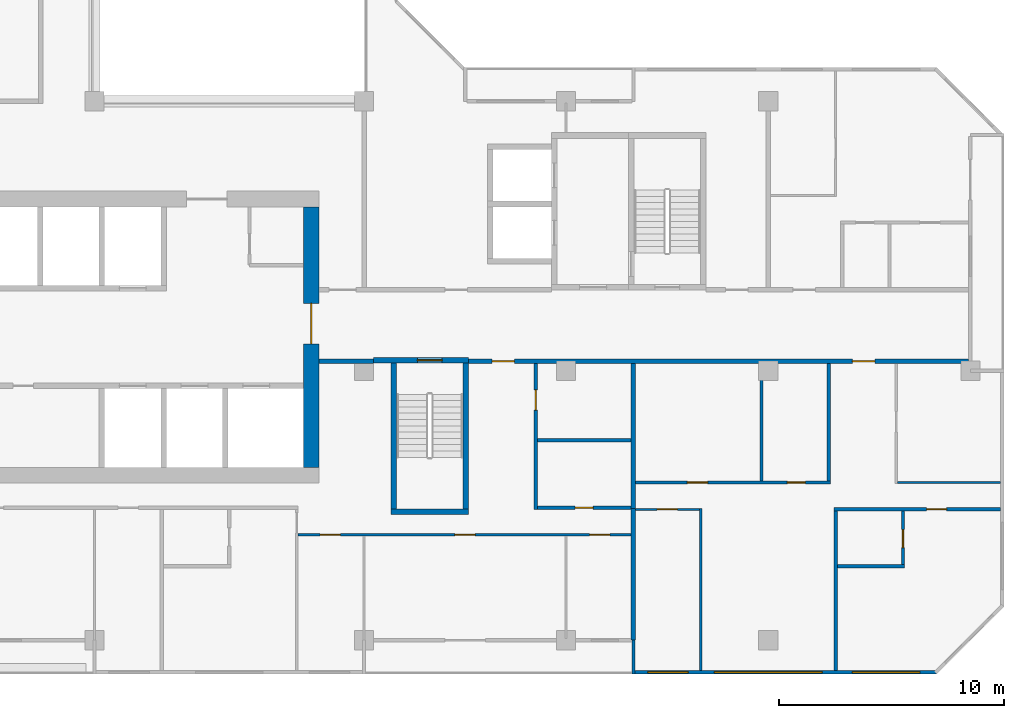
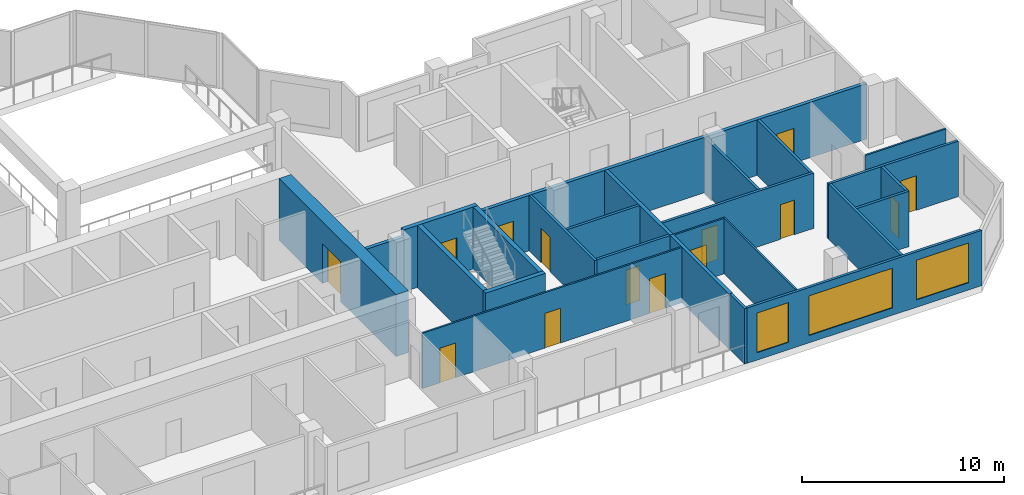
# One storey, part 6 of 15: 25 walls, 14 doors, 3 windows, 17 openings.
"""IFC4 building model written with IfcOpenShell, lengths in metres."""

from ifc_helpers import new_model, si_unit, direction, frame, frame_2d, origin, place, context, subcontext, project, spatial, rectangle, extrude, material, layer, layer_set, type_object, element, fill, save


model = new_model("IFC4")

# Units and contexts
model_context = context("Model", 3, precision=1e-05, world=origin(), true_north=direction((0.0, 1.0)))
body_context = subcontext(model_context, "Body", "Model", "MODEL_VIEW")
ifc_project = project(units=[si_unit("LENGTHUNIT", "METRE"), si_unit("AREAUNIT", "SQUARE_METRE"), si_unit("VOLUMEUNIT", "CUBIC_METRE"), si_unit("PLANEANGLEUNIT", "RADIAN"), si_unit("MASSUNIT", "GRAM", prefix="KILO")], contexts=[model_context])

# Site, building, storey
site_placement = place(None, origin())
site = spatial("IfcSite", under=ifc_project, at=site_placement, CompositionType="ELEMENT")
building_placement = place(site_placement, origin())
building = spatial("IfcBuilding", under=site, at=building_placement, Name="Chenar Terraces", CompositionType="ELEMENT")
storey_placement = place(building_placement, frame((0.0, 0.0, 215.39990234375)))
storey = spatial("IfcBuildingStorey", under=building, at=storey_placement, Name="L50", CompositionType="ELEMENT", Elevation=215.39990234375)

# Wall
ifc_material_1 = material(Name="Concrete C60/75", Category="concrete")
ifc_layer_1 = layer(ifc_material_1, 0.25)
ifc_layer_set_1 = layer_set([ifc_layer_1], Name="Concrete C60/75")
wall_type_1 = type_object("IfcWallType", Name="Core wall 250 Concrete C60/75", PredefinedType="SHEAR", material=ifc_layer_set_1)
wall_1_placement = place(storey_placement, frame((37.199951171875, 5.72509765625, 0.0), z_axis=(0.0, 0.0, 1.0), x_axis=(1.0, 0.0, 0.0)))
element("IfcWall", 1, at=wall_1_placement, inside=storey, type_object=wall_type_1, Name="Core wall ST2_S L50", PredefinedType="SHEAR", context=body_context, shape_type="SweptSolid", body=[
    extrude(rectangle(XDim=3.449951171875, YDim=0.25, at=frame_2d((1.72509765625, 0.0))), origin(), (0.0, 0.0, 1.0), 3.75),
])

# Wall, opening, door
wall_2_placement = place(storey_placement, frame((36.425048828125, 12.47509765625, 0.0), z_axis=(0.0, 0.0, 1.0), x_axis=(1.0, 0.0, 0.0)))
wall_2 = element("IfcWall", 2, at=wall_2_placement, inside=storey, type_object=wall_type_1, Name="Core wall ST2_N L50", PredefinedType="SHEAR", context=body_context, shape_type="SweptSolid", body=[
    extrude(rectangle(XDim=4.224853515625, YDim=0.25, at=frame_2d((2.1123046875, 0.0))), origin(), (0.0, 0.0, 1.0), 3.75),
])
opening_1_placement = place(wall_2_placement, frame((1.949951171875, 0.0, 0.0)))
opening_1 = element("IfcOpeningElement", 3, at=opening_1_placement, cuts=wall_2, Name="Opening DL50-C7", PredefinedType="OPENING", context=body_context, shape_type="SweptSolid", body=[
    extrude(rectangle(XDim=1.10009765625, YDim=2.199951171875, at=frame_2d((0.550048828125, 1.10009765625))), frame((0.0, 0.135009765625, 0.0), z_axis=(0.0, -1.0, 0.0), x_axis=(1.0, 0.0, 0.0)), (0.0, 0.0, 1.0), 0.27001953125),
])
ifc_material_2 = material(Name="Steel-framed fire-resisting door leaf", Category="steel")
door_type_1 = type_object("IfcDoorType", Name="Stair fire door FD60 1100 x 2200", OperationType="SINGLE_SWING_LEFT", PredefinedType="DOOR", material=ifc_material_2)
door_1_placement = place(opening_1_placement, frame((1.10009765625, 0.0, 0.0), z_axis=(0.0, 0.0, 1.0), x_axis=(-1.0, 0.0, 0.0)))
door_1 = element("IfcDoor", 4, at=door_1_placement, inside=storey, type_object=door_type_1, Name="Stair door DL50-C7", OperationType="SINGLE_SWING_LEFT", OverallHeight=2.199951171875, OverallWidth=1.10009765625, PredefinedType="DOOR", context=body_context, shape_type="SweptSolid", body=[
    extrude(rectangle(XDim=1.10009765625, YDim=2.199951171875, at=frame_2d((0.550048828125, 1.10009765625))), frame((0.0, 0.02490234375, 0.0), z_axis=(0.0, -1.0, 0.0), x_axis=(1.0, 0.0, 0.0)), (0.0, 0.0, 1.0), 0.050048828125),
])
fill(opening_1, door_1)

# Walls
for number, where, z_axis, x_axis, name in (
    (5, (37.324951171875, 5.85009765625, 0.0), (0.0, 0.0, 1.0), (0.0, 1.0, 0.0), "Core wall ST2_W L50"),
    (6, (40.52490234375, 5.85009765625, 0.0), (0.0, 0.0, 1.0), (0.0, 1.0, 0.0), "Core wall ST2_E L50"),
):
    element("IfcWall", number, at=place(storey_placement, frame(where, z_axis=z_axis, x_axis=x_axis)), inside=storey, type_object=wall_type_1, Name=name, PredefinedType="SHEAR", context=body_context, shape_type="SweptSolid", body=[
        extrude(rectangle(XDim=6.5, YDim=0.25, at=frame_2d((3.25, 0.0))), origin(), (0.0, 0.0, 1.0), 3.75),
    ])

# Wall, opening, door
ifc_material_3 = material(Name="Concrete C60/75", Category="concrete")
ifc_layer_2 = layer(ifc_material_3, 0.699951171875)
ifc_layer_set_2 = layer_set([ifc_layer_2], Name="Concrete C60/75")
wall_type_2 = type_object("IfcWallType", Name="Core wall 700 Concrete C60/75", PredefinedType="SHEAR", material=ifc_layer_set_2)
wall_3_placement = place(storey_placement, frame((33.64990234375, 7.699951171875, 0.0), z_axis=(0.0, 0.0, 1.0), x_axis=(0.0, 1.0, 0.0)))
wall_3 = element("IfcWall", 7, at=wall_3_placement, inside=storey, type_object=wall_type_2, Name="Core wall E L50", PredefinedType="SHEAR", context=body_context, shape_type="SweptSolid", body=[
    extrude(rectangle(XDim=11.60009765625, YDim=0.699951171875, at=frame_2d((5.800048828125, 0.0))), origin(), (0.0, 0.0, 1.0), 3.75),
])
opening_2_placement = place(wall_3_placement, frame((5.5, 0.0, 0.0)))
opening_2 = element("IfcOpeningElement", 8, at=opening_2_placement, cuts=wall_3, Name="Opening DL50-C1", PredefinedType="OPENING", context=body_context, shape_type="SweptSolid", body=[
    extrude(rectangle(XDim=1.800048828125, YDim=2.39990234375, at=frame_2d((0.89990234375, 1.199951171875))), frame((0.0, 0.35986328125, 0.0), z_axis=(0.0, -1.0, 0.0), x_axis=(1.0, 0.0, 0.0)), (0.0, 0.0, 1.0), 0.719970703125),
])
ifc_material_4 = material(Name="Steel-framed fire-resisting door leaf", Category="steel")
door_type_2 = type_object("IfcDoorType", Name="Core entrance double fire door FD60 1800 x 2400", OperationType="DOUBLE_DOOR_SINGLE_SWING", PredefinedType="DOOR", material=ifc_material_4)
door_2_placement = place(opening_2_placement, origin())
door_2 = element("IfcDoor", 9, at=door_2_placement, inside=storey, type_object=door_type_2, Name="Core door DL50-C1", OperationType="DOUBLE_DOOR_SINGLE_SWING", OverallHeight=2.39990234375, OverallWidth=1.800048828125, PredefinedType="DOOR", context=body_context, shape_type="SweptSolid", body=[
    extrude(rectangle(XDim=1.800048828125, YDim=2.39990234375, at=frame_2d((0.89990234375, 1.199951171875))), frame((0.0, 0.02490234375, 0.0), z_axis=(0.0, -1.0, 0.0), x_axis=(1.0, 0.0, 0.0)), (0.0, 0.0, 1.0), 0.050048828125),
])
fill(opening_2, door_2)

# Wall
ifc_material_5 = material(Name="Gypsum board on steel studs with fire boards", Category="steel")
ifc_layer_3 = layer(ifc_material_5, 0.199951171875)
ifc_layer_set_3 = layer_set([ifc_layer_3], Name="Gypsum board on steel studs with fire boards")
wall_type_3 = type_object("IfcWallType", Name="Corridor wall 200", PredefinedType="PARTITIONING", material=ifc_layer_set_3)
wall_4_placement = place(storey_placement, frame((34.0, 12.425048828125, 0.0), z_axis=(0.0, 0.0, 1.0), x_axis=(1.0, 0.0, 0.0)))
element("IfcWall", 10, at=wall_4_placement, inside=storey, type_object=wall_type_3, Name="Partition L50-059", PredefinedType="PARTITIONING", context=body_context, shape_type="SweptSolid", body=[
    extrude(rectangle(XDim=2.426025390625, YDim=0.199951171875, at=frame_2d((1.212890625, 0.0))), origin(), (0.0, 0.0, 1.0), 3.35009765625),
])

# Wall, openings, doors
wall_5_placement = place(storey_placement, frame((40.64990234375, 12.425048828125, 0.0), z_axis=(0.0, 0.0, 1.0), x_axis=(1.0, 0.0, 0.0)))
wall_5 = element("IfcWall", 11, at=wall_5_placement, inside=storey, type_object=wall_type_3, Name="Partition L50-063", PredefinedType="PARTITIONING", context=body_context, shape_type="SweptSolid", body=[
    extrude(rectangle(XDim=22.276123046875, YDim=0.199951171875, at=frame_2d((11.13818359375, 0.0))), origin(), (0.0, 0.0, 1.0), 3.35009765625),
])
opening_3_placement = place(wall_5_placement, frame((17.10009765625, 0.0, 0.0)))
opening_3 = element("IfcOpeningElement", 12, at=opening_3_placement, cuts=wall_5, Name="Opening DL50-13", PredefinedType="OPENING", context=body_context, shape_type="SweptSolid", body=[
    extrude(rectangle(XDim=1.0, YDim=2.10009765625, at=frame_2d((0.5, 1.050048828125))), frame((0.0, 0.10986328125, 0.0), z_axis=(0.0, -1.0, 0.0), x_axis=(1.0, 0.0, 0.0)), (0.0, 0.0, 1.0), 0.219970703125),
])
opening_4_placement = place(wall_5_placement, frame((1.050048828125, 0.0, 0.0)))
opening_4 = element("IfcOpeningElement", 13, at=opening_4_placement, cuts=wall_5, Name="Opening DL50-53", PredefinedType="OPENING", context=body_context, shape_type="SweptSolid", body=[
    extrude(rectangle(XDim=1.0, YDim=2.10009765625, at=frame_2d((0.5, 1.050048828125))), frame((0.0, 0.10986328125, 0.0), z_axis=(0.0, -1.0, 0.0), x_axis=(1.0, 0.0, 0.0)), (0.0, 0.0, 1.0), 0.219970703125),
])
ifc_material_6 = material(Name="Steel-framed fire-resisting door leaf", Category="steel")
door_type_3 = type_object("IfcDoorType", Name="Fire door FD30S 1000 x 2100", OperationType="SINGLE_SWING_LEFT", PredefinedType="DOOR", material=ifc_material_6)
door_3_placement = place(opening_3_placement, frame((1.0, 0.0, 0.0), z_axis=(0.0, 0.0, 1.0), x_axis=(-1.0, 0.0, 0.0)))
door_3 = element("IfcDoor", 14, at=door_3_placement, inside=storey, type_object=door_type_3, Name="Door DL50-13", OperationType="SINGLE_SWING_LEFT", OverallHeight=2.10009765625, OverallWidth=1.0, PredefinedType="DOOR", context=body_context, shape_type="SweptSolid", body=[
    extrude(rectangle(XDim=1.0, YDim=2.10009765625, at=frame_2d((0.5, 1.050048828125))), frame((0.0, 0.02490234375, 0.0), z_axis=(0.0, -1.0, 0.0), x_axis=(1.0, 0.0, 0.0)), (0.0, 0.0, 1.0), 0.050048828125),
])
fill(opening_3, door_3)
door_4_placement = place(opening_4_placement, origin())
door_4 = element("IfcDoor", 15, at=door_4_placement, inside=storey, type_object=door_type_3, Name="Door DL50-53", OperationType="SINGLE_SWING_LEFT", OverallHeight=2.10009765625, OverallWidth=1.0, PredefinedType="DOOR", context=body_context, shape_type="SweptSolid", body=[
    extrude(rectangle(XDim=1.0, YDim=2.10009765625, at=frame_2d((0.5, 1.050048828125))), frame((0.0, 0.02490234375, 0.0), z_axis=(0.0, -1.0, 0.0), x_axis=(1.0, 0.0, 0.0)), (0.0, 0.0, 1.0), 0.050048828125),
])
fill(opening_4, door_4)

# Wall, openings, windows
ifc_material_7 = material(Name="Aluminium framed glazing", Category="aluminium")
ifc_layer_4 = layer(ifc_material_7, 0.14990234375)
ifc_layer_set_4 = layer_set([ifc_layer_4], Name="Aluminium framed glazing")
wall_type_4 = type_object("IfcWallType", Name="Glazed flush facade wall 150", PredefinedType="SOLIDWALL", material=ifc_layer_set_4)
wall_6_placement = place(storey_placement, frame((48.074951171875, -1.425048828125, 0.0), z_axis=(0.0, 0.0, 1.0), x_axis=(1.0, 0.0, 0.0)))
wall_6 = element("IfcWall", 16, at=wall_6_placement, inside=storey, type_object=wall_type_4, Name="Glazed flush facade wall", PredefinedType="SOLIDWALL", context=body_context, shape_type="SweptSolid", body=[
    extrude(rectangle(XDim=13.425048828125, YDim=0.14990234375, at=frame_2d((6.71240234375, 0.0))), origin(), (0.0, 0.0, 1.0), 3.35009765625),
])
opening_5_placement = place(wall_6_placement, frame((0.5625, 0.0, 0.449951171875)))
opening_5 = element("IfcOpeningElement", 17, at=opening_5_placement, cuts=wall_6, Name="Opening W180x240", PredefinedType="OPENING", context=body_context, shape_type="SweptSolid", body=[
    extrude(rectangle(XDim=1.800048828125, YDim=2.39990234375, at=frame_2d((0.89990234375, 1.199951171875))), frame((0.0, 0.0849609375, 0.0), z_axis=(0.0, -1.0, 0.0), x_axis=(1.0, 0.0, 0.0)), (0.0, 0.0, 1.0), 0.169921875),
])
opening_6_placement = place(wall_6_placement, frame((3.52490234375, 0.0, 0.449951171875)))
opening_6 = element("IfcOpeningElement", 18, at=opening_6_placement, cuts=wall_6, Name="Opening W480x240", PredefinedType="OPENING", context=body_context, shape_type="SweptSolid", body=[
    extrude(rectangle(XDim=4.800048828125, YDim=2.39990234375, at=frame_2d((2.39990234375, 1.199951171875))), frame((0.0, 0.0849609375, 0.0), z_axis=(0.0, -1.0, 0.0), x_axis=(1.0, 0.0, 0.0)), (0.0, 0.0, 1.0), 0.169921875),
])
opening_7_placement = place(wall_6_placement, frame((9.675048828125, 0.0, 0.449951171875)))
opening_7 = element("IfcOpeningElement", 19, at=opening_7_placement, cuts=wall_6, Name="Opening W300x240", PredefinedType="OPENING", context=body_context, shape_type="SweptSolid", body=[
    extrude(rectangle(XDim=3.0, YDim=2.39990234375, at=frame_2d((1.5, 1.199951171875))), frame((0.0, 0.0849609375, 0.0), z_axis=(0.0, -1.0, 0.0), x_axis=(1.0, 0.0, 0.0)), (0.0, 0.0, 1.0), 0.169921875),
])
ifc_material_8 = material(Name="Low emissivity double glazing, aluminium frame", Category="aluminium")
window_type_1 = type_object("IfcWindowType", Name="Fixed light 1800 x 2400", PartitioningType="SINGLE_PANEL", PredefinedType="WINDOW", material=ifc_material_8)
window_1_placement = place(opening_5_placement, origin())
window_1 = element("IfcWindow", 20, at=window_1_placement, inside=storey, type_object=window_type_1, Name="Window", OverallHeight=2.39990234375, OverallWidth=1.800048828125, PartitioningType="SINGLE_PANEL", PredefinedType="WINDOW", context=body_context, shape_type="SweptSolid", body=[
    extrude(rectangle(XDim=1.800048828125, YDim=2.39990234375, at=frame_2d((0.89990234375, 1.199951171875))), frame((0.0, 0.030029296875, 0.0), z_axis=(0.0, -1.0, 0.0), x_axis=(1.0, 0.0, 0.0)), (0.0, 0.0, 1.0), 0.06005859375),
])
fill(opening_5, window_1)
ifc_material_9 = material(Name="Low emissivity double glazing, aluminium frame", Category="aluminium")
window_type_2 = type_object("IfcWindowType", Name="Fixed light 3000 x 2400", PartitioningType="SINGLE_PANEL", PredefinedType="WINDOW", material=ifc_material_9)
window_2_placement = place(opening_7_placement, origin())
window_2 = element("IfcWindow", 21, at=window_2_placement, inside=storey, type_object=window_type_2, Name="Window", OverallHeight=2.39990234375, OverallWidth=3.0, PartitioningType="SINGLE_PANEL", PredefinedType="WINDOW", context=body_context, shape_type="SweptSolid", body=[
    extrude(rectangle(XDim=3.0, YDim=2.39990234375, at=frame_2d((1.5, 1.199951171875))), frame((0.0, 0.030029296875, 0.0), z_axis=(0.0, -1.0, 0.0), x_axis=(1.0, 0.0, 0.0)), (0.0, 0.0, 1.0), 0.06005859375),
])
fill(opening_7, window_2)
ifc_material_10 = material(Name="Low emissivity double glazing, aluminium frame", Category="aluminium")
window_type_3 = type_object("IfcWindowType", Name="Fixed light 4800 x 2400", PartitioningType="SINGLE_PANEL", PredefinedType="WINDOW", material=ifc_material_10)
window_3_placement = place(opening_6_placement, origin())
window_3 = element("IfcWindow", 22, at=window_3_placement, inside=storey, type_object=window_type_3, Name="Window", OverallHeight=2.39990234375, OverallWidth=4.800048828125, PartitioningType="SINGLE_PANEL", PredefinedType="WINDOW", context=body_context, shape_type="SweptSolid", body=[
    extrude(rectangle(XDim=4.800048828125, YDim=2.39990234375, at=frame_2d((2.39990234375, 1.199951171875))), frame((0.0, 0.030029296875, 0.0), z_axis=(0.0, -1.0, 0.0), x_axis=(1.0, 0.0, 0.0)), (0.0, 0.0, 1.0), 0.06005859375),
])
fill(opening_6, window_3)

# Wall, openings, doors
ifc_material_11 = material(Name="Gypsum board on steel studs", Category="steel")
ifc_layer_5 = layer(ifc_material_11, 0.10009765625)
ifc_layer_set_5 = layer_set([ifc_layer_5], Name="Gypsum board on steel studs")
wall_type_5 = type_object("IfcWallType", Name="Gypsum partition 100", PredefinedType="PARTITIONING", material=ifc_layer_set_5)
wall_7_placement = place(storey_placement, frame((33.050048828125, 4.699951171875, 0.0), z_axis=(0.0, 0.0, 1.0), x_axis=(1.0, 0.0, 0.0)))
wall_7 = element("IfcWall", 23, at=wall_7_placement, inside=storey, type_object=wall_type_5, Name="Partition L50-058", PredefinedType="PARTITIONING", context=body_context, shape_type="SweptSolid", body=[
    extrude(rectangle(XDim=14.849853515625, YDim=0.10009765625, at=frame_2d((7.4248046875, 0.0))), origin(), (0.0, 0.0, 1.0), 3.35009765625),
])
opening_8_placement = place(wall_7_placement, frame((1.0, 0.0, 0.0)))
opening_8 = element("IfcOpeningElement", 24, at=opening_8_placement, cuts=wall_7, Name="Opening DL50-47", PredefinedType="OPENING", context=body_context, shape_type="SweptSolid", body=[
    extrude(rectangle(XDim=0.89990234375, YDim=2.10009765625, at=frame_2d((0.449951171875, 1.050048828125))), frame((0.0, 0.06005859375, 0.0), z_axis=(0.0, -1.0, 0.0), x_axis=(1.0, 0.0, 0.0)), (0.0, 0.0, 1.0), 0.1201171875),
])
opening_9_placement = place(wall_7_placement, frame((13.0, 0.0, 0.0)))
opening_9 = element("IfcOpeningElement", 25, at=opening_9_placement, cuts=wall_7, Name="Opening DL50-48", PredefinedType="OPENING", context=body_context, shape_type="SweptSolid", body=[
    extrude(rectangle(XDim=0.89990234375, YDim=2.10009765625, at=frame_2d((0.449951171875, 1.050048828125))), frame((0.0, 0.06005859375, 0.0), z_axis=(0.0, -1.0, 0.0), x_axis=(1.0, 0.0, 0.0)), (0.0, 0.0, 1.0), 0.1201171875),
])
opening_10_placement = place(wall_7_placement, frame((7.0, 0.0, 0.0)))
opening_10 = element("IfcOpeningElement", 26, at=opening_10_placement, cuts=wall_7, Name="Opening DL50-56", PredefinedType="OPENING", context=body_context, shape_type="SweptSolid", body=[
    extrude(rectangle(XDim=0.89990234375, YDim=2.10009765625, at=frame_2d((0.449951171875, 1.050048828125))), frame((0.0, 0.06005859375, 0.0), z_axis=(0.0, -1.0, 0.0), x_axis=(1.0, 0.0, 0.0)), (0.0, 0.0, 1.0), 0.1201171875),
])
ifc_material_12 = material(Name="Veneered timber door leaf", Category="wood")
door_type_4 = type_object("IfcDoorType", Name="Door 900 x 2100", OperationType="SINGLE_SWING_LEFT", PredefinedType="DOOR", material=ifc_material_12)
door_5_placement = place(opening_8_placement, frame((0.89990234375, 0.0, 0.0), z_axis=(0.0, 0.0, 1.0), x_axis=(-1.0, 0.0, 0.0)))
door_5 = element("IfcDoor", 27, at=door_5_placement, inside=storey, type_object=door_type_4, Name="Door DL50-47", OperationType="SINGLE_SWING_LEFT", OverallHeight=2.10009765625, OverallWidth=0.89990234375, PredefinedType="DOOR", context=body_context, shape_type="SweptSolid", body=[
    extrude(rectangle(XDim=0.89990234375, YDim=2.10009765625, at=frame_2d((0.449951171875, 1.050048828125))), frame((0.0, 0.02490234375, 0.0), z_axis=(0.0, -1.0, 0.0), x_axis=(1.0, 0.0, 0.0)), (0.0, 0.0, 1.0), 0.050048828125),
])
fill(opening_8, door_5)
door_6_placement = place(opening_9_placement, frame((0.89990234375, 0.0, 0.0), z_axis=(0.0, 0.0, 1.0), x_axis=(-1.0, 0.0, 0.0)))
door_6 = element("IfcDoor", 28, at=door_6_placement, inside=storey, type_object=door_type_4, Name="Door DL50-48", OperationType="SINGLE_SWING_LEFT", OverallHeight=2.10009765625, OverallWidth=0.89990234375, PredefinedType="DOOR", context=body_context, shape_type="SweptSolid", body=[
    extrude(rectangle(XDim=0.89990234375, YDim=2.10009765625, at=frame_2d((0.449951171875, 1.050048828125))), frame((0.0, 0.02490234375, 0.0), z_axis=(0.0, -1.0, 0.0), x_axis=(1.0, 0.0, 0.0)), (0.0, 0.0, 1.0), 0.050048828125),
])
fill(opening_9, door_6)
door_7_placement = place(opening_10_placement, frame((0.89990234375, 0.0, 0.0), z_axis=(0.0, 0.0, 1.0), x_axis=(-1.0, 0.0, 0.0)))
door_7 = element("IfcDoor", 29, at=door_7_placement, inside=storey, type_object=door_type_4, Name="Door DL50-56", OperationType="SINGLE_SWING_LEFT", OverallHeight=2.10009765625, OverallWidth=0.89990234375, PredefinedType="DOOR", context=body_context, shape_type="SweptSolid", body=[
    extrude(rectangle(XDim=0.89990234375, YDim=2.10009765625, at=frame_2d((0.449951171875, 1.050048828125))), frame((0.0, 0.02490234375, 0.0), z_axis=(0.0, -1.0, 0.0), x_axis=(1.0, 0.0, 0.0)), (0.0, 0.0, 1.0), 0.050048828125),
])
fill(opening_10, door_7)

# Wall, opening, door
wall_8_placement = place(storey_placement, frame((48.10009765625, 5.824951171875, 0.0), z_axis=(0.0, 0.0, 1.0), x_axis=(1.0, 0.0, 0.0)))
wall_8 = element("IfcWall", 30, at=wall_8_placement, inside=storey, type_object=wall_type_5, Name="Partition L50-071", PredefinedType="PARTITIONING", context=body_context, shape_type="SweptSolid", body=[
    extrude(rectangle(XDim=2.849853515625, YDim=0.10009765625, at=frame_2d((1.4248046875, 0.0))), origin(), (0.0, 0.0, 1.0), 3.35009765625),
])
opening_11_placement = place(wall_8_placement, frame((0.949951171875, 0.0, 0.0)))
opening_11 = element("IfcOpeningElement", 31, at=opening_11_placement, cuts=wall_8, Name="Opening DL50-9", PredefinedType="OPENING", context=body_context, shape_type="SweptSolid", body=[
    extrude(rectangle(XDim=0.89990234375, YDim=2.10009765625, at=frame_2d((0.449951171875, 1.050048828125))), frame((0.0, 0.06005859375, 0.0), z_axis=(0.0, -1.0, 0.0), x_axis=(1.0, 0.0, 0.0)), (0.0, 0.0, 1.0), 0.1201171875),
])
door_8_placement = place(opening_11_placement, frame((0.89990234375, 0.0, 0.0), z_axis=(0.0, 0.0, 1.0), x_axis=(-1.0, 0.0, 0.0)))
door_8 = element("IfcDoor", 32, at=door_8_placement, inside=storey, type_object=door_type_4, Name="Door DL50-9", OperationType="SINGLE_SWING_LEFT", OverallHeight=2.10009765625, OverallWidth=0.89990234375, PredefinedType="DOOR", context=body_context, shape_type="SweptSolid", body=[
    extrude(rectangle(XDim=0.89990234375, YDim=2.10009765625, at=frame_2d((0.449951171875, 1.050048828125))), frame((0.0, 0.02490234375, 0.0), z_axis=(0.0, -1.0, 0.0), x_axis=(1.0, 0.0, 0.0)), (0.0, 0.0, 1.0), 0.050048828125),
])
fill(opening_11, door_8)

# Walls
wall_9_placement = place(storey_placement, frame((51.0, -1.35009765625, 0.0), z_axis=(0.0, 0.0, 1.0), x_axis=(0.0, 1.0, 0.0)))
element("IfcWall", 33, at=wall_9_placement, inside=storey, type_object=wall_type_5, Name="Partition L50-073", PredefinedType="PARTITIONING", context=body_context, shape_type="SweptSolid", body=[
    extrude(rectangle(XDim=7.22509765625, YDim=0.10009765625, at=frame_2d((3.612548828125, 0.0))), origin(), (0.0, 0.0, 1.0), 3.35009765625),
])
wall_10_placement = place(storey_placement, frame((59.75, 7.02490234375, 0.0), z_axis=(0.0, 0.0, 1.0), x_axis=(1.0, 0.0, 0.0)))
element("IfcWall", 34, at=wall_10_placement, inside=storey, type_object=wall_type_5, Name="Partition L50-087", PredefinedType="PARTITIONING", context=body_context, shape_type="SweptSolid", body=[
    extrude(rectangle(XDim=4.60009765625, YDim=0.10009765625, at=frame_2d((2.300048828125, 0.0))), origin(), (0.0, 0.0, 1.0), 3.35009765625),
])
ifc_material_13 = material(Name="Terracotta cladding on insulated backing", Category="masonry")
ifc_layer_6 = layer(ifc_material_13, 0.14990234375)
ifc_layer_set_6 = layer_set([ifc_layer_6], Name="Terracotta cladding on insulated backing")
wall_type_6 = type_object("IfcWallType", Name="Loggia return wall 150", PredefinedType="SOLIDWALL", material=ifc_layer_set_6)
wall_11_placement = place(storey_placement, frame((48.0, -1.5, 0.0), z_axis=(0.0, 0.0, 1.0), x_axis=(0.0, 1.0, 0.0)))
element("IfcWall", 35, at=wall_11_placement, inside=storey, type_object=wall_type_6, Name="Loggia return wall", PredefinedType="SOLIDWALL", context=body_context, shape_type="SweptSolid", body=[
    extrude(rectangle(XDim=1.5, YDim=0.14990234375, at=frame_2d((0.75, 0.0))), origin(), (0.0, 0.0, 1.0), 3.35009765625),
])
ifc_material_14 = material(Name="Twin gypsum board on steel studs with mineral wool", Category="steel")
ifc_layer_7 = layer(ifc_material_14, 0.199951171875)
ifc_layer_set_7 = layer_set([ifc_layer_7], Name="Twin gypsum board on steel studs with mineral wool")
wall_type_7 = type_object("IfcWallType", Name="Unit demising wall 200", PredefinedType="PARTITIONING", material=ifc_layer_set_7)
wall_12_placement = place(storey_placement, frame((48.0, 0.0, 0.0), z_axis=(0.0, 0.0, 1.0), x_axis=(0.0, 1.0, 0.0)))
element("IfcWall", 36, at=wall_12_placement, inside=storey, type_object=wall_type_7, Name="Partition L50-069", PredefinedType="PARTITIONING", context=body_context, shape_type="SweptSolid", body=[
    extrude(rectangle(XDim=5.875, YDim=0.199951171875, at=frame_2d((2.9375, 0.0))), origin(), (0.0, 0.0, 1.0), 3.35009765625),
])
wall_13_placement = place(storey_placement, frame((48.0, 5.824951171875, 0.0), z_axis=(0.0, 0.0, 1.0), x_axis=(0.0, 1.0, 0.0)))
element("IfcWall", 37, at=wall_13_placement, inside=storey, type_object=wall_type_7, Name="Partition L50-070", PredefinedType="PARTITIONING", context=body_context, shape_type="SweptSolid", body=[
    extrude(rectangle(XDim=6.5, YDim=0.199951171875, at=frame_2d((3.25, 0.0))), origin(), (0.0, 0.0, 1.0), 3.35009765625),
])

# Wall, opening, door
ifc_material_15 = material(Name="Moisture-resistant gypsum board on steel studs", Category="steel")
ifc_layer_8 = layer(ifc_material_15, 0.14990234375)
ifc_layer_set_8 = layer_set([ifc_layer_8], Name="Moisture-resistant gypsum board on steel studs")
wall_type_8 = type_object("IfcWallType", Name="Wet-room partition 150", PredefinedType="PARTITIONING", material=ifc_layer_set_8)
wall_14_placement = place(storey_placement, frame((43.64990234375, 5.824951171875, 0.0), z_axis=(0.0, 0.0, 1.0), x_axis=(0.0, 1.0, 0.0)))
wall_14 = element("IfcWall", 38, at=wall_14_placement, inside=storey, type_object=wall_type_8, Name="Partition L50-064", PredefinedType="PARTITIONING", context=body_context, shape_type="SweptSolid", body=[
    extrude(rectangle(XDim=6.5, YDim=0.14990234375, at=frame_2d((3.25, 0.0))), origin(), (0.0, 0.0, 1.0), 3.35009765625),
])
opening_12_placement = place(wall_14_placement, frame((4.425048828125, 0.0, 0.0)))
opening_12 = element("IfcOpeningElement", 39, at=opening_12_placement, cuts=wall_14, Name="Opening DL50-54", PredefinedType="OPENING", context=body_context, shape_type="SweptSolid", body=[
    extrude(rectangle(XDim=0.89990234375, YDim=2.10009765625, at=frame_2d((0.449951171875, 1.050048828125))), frame((0.0, 0.0849609375, 0.0), z_axis=(0.0, -1.0, 0.0), x_axis=(1.0, 0.0, 0.0)), (0.0, 0.0, 1.0), 0.169921875),
])
door_9_placement = place(opening_12_placement, frame((0.89990234375, 0.0, 0.0), z_axis=(0.0, 0.0, 1.0), x_axis=(-1.0, 0.0, 0.0)))
door_9 = element("IfcDoor", 40, at=door_9_placement, inside=storey, type_object=door_type_4, Name="Door DL50-54", OperationType="SINGLE_SWING_LEFT", OverallHeight=2.10009765625, OverallWidth=0.89990234375, PredefinedType="DOOR", context=body_context, shape_type="SweptSolid", body=[
    extrude(rectangle(XDim=0.89990234375, YDim=2.10009765625, at=frame_2d((0.449951171875, 1.050048828125))), frame((0.0, 0.02490234375, 0.0), z_axis=(0.0, -1.0, 0.0), x_axis=(1.0, 0.0, 0.0)), (0.0, 0.0, 1.0), 0.050048828125),
])
fill(opening_12, door_9)

wall_15_placement = place(storey_placement, frame((43.72509765625, 5.89990234375, 0.0), z_axis=(0.0, 0.0, 1.0), x_axis=(1.0, 0.0, 0.0)))
wall_15 = element("IfcWall", 41, at=wall_15_placement, inside=storey, type_object=wall_type_8, Name="Partition L50-065", PredefinedType="PARTITIONING", context=body_context, shape_type="SweptSolid", body=[
    extrude(rectangle(XDim=4.1748046875, YDim=0.14990234375, at=frame_2d((2.08740234375, 0.0))), origin(), (0.0, 0.0, 1.0), 3.35009765625),
])
opening_13_placement = place(wall_15_placement, frame((1.675048828125, 0.0, 0.0)))
opening_13 = element("IfcOpeningElement", 42, at=opening_13_placement, cuts=wall_15, Name="Opening DL50-44", PredefinedType="OPENING", context=body_context, shape_type="SweptSolid", body=[
    extrude(rectangle(XDim=0.800048828125, YDim=2.10009765625, at=frame_2d((0.39990234375, 1.050048828125))), frame((0.0, 0.0849609375, 0.0), z_axis=(0.0, -1.0, 0.0), x_axis=(1.0, 0.0, 0.0)), (0.0, 0.0, 1.0), 0.169921875),
])
ifc_material_16 = material(Name="Veneered timber door leaf", Category="wood")
door_type_5 = type_object("IfcDoorType", Name="Door 800 x 2100", OperationType="SINGLE_SWING_LEFT", PredefinedType="DOOR", material=ifc_material_16)
door_10_placement = place(opening_13_placement, origin())
door_10 = element("IfcDoor", 43, at=door_10_placement, inside=storey, type_object=door_type_5, Name="Door DL50-44", OperationType="SINGLE_SWING_LEFT", OverallHeight=2.10009765625, OverallWidth=0.800048828125, PredefinedType="DOOR", context=body_context, shape_type="SweptSolid", body=[
    extrude(rectangle(XDim=0.800048828125, YDim=2.10009765625, at=frame_2d((0.39990234375, 1.050048828125))), frame((0.0, 0.02490234375, 0.0), z_axis=(0.0, -1.0, 0.0), x_axis=(1.0, 0.0, 0.0)), (0.0, 0.0, 1.0), 0.050048828125),
])
fill(opening_13, door_10)

# Wall
wall_16_placement = place(storey_placement, frame((43.72509765625, 8.89990234375, 0.0), z_axis=(0.0, 0.0, 1.0), x_axis=(1.0, 0.0, 0.0)))
element("IfcWall", 44, at=wall_16_placement, inside=storey, type_object=wall_type_8, Name="Partition L50-066", PredefinedType="PARTITIONING", context=body_context, shape_type="SweptSolid", body=[
    extrude(rectangle(XDim=4.1748046875, YDim=0.14990234375, at=frame_2d((2.08740234375, 0.0))), origin(), (0.0, 0.0, 1.0), 3.35009765625),
])

# Wall, openings, doors
wall_17_placement = place(storey_placement, frame((48.10009765625, 7.02490234375, 0.0), z_axis=(0.0, 0.0, 1.0), x_axis=(1.0, 0.0, 0.0)))
wall_17 = element("IfcWall", 45, at=wall_17_placement, inside=storey, type_object=wall_type_8, Name="Partition L50-072", PredefinedType="PARTITIONING", context=body_context, shape_type="SweptSolid", body=[
    extrude(rectangle(XDim=8.6748046875, YDim=0.14990234375, at=frame_2d((4.33740234375, 0.0))), origin(), (0.0, 0.0, 1.0), 3.35009765625),
])
opening_14_placement = place(wall_17_placement, frame((6.75, 0.0, 0.0)))
opening_14 = element("IfcOpeningElement", 46, at=opening_14_placement, cuts=wall_17, Name="Opening DL50-8", PredefinedType="OPENING", context=body_context, shape_type="SweptSolid", body=[
    extrude(rectangle(XDim=0.800048828125, YDim=2.10009765625, at=frame_2d((0.39990234375, 1.050048828125))), frame((0.0, 0.0849609375, 0.0), z_axis=(0.0, -1.0, 0.0), x_axis=(1.0, 0.0, 0.0)), (0.0, 0.0, 1.0), 0.169921875),
])
opening_15_placement = place(wall_17_placement, frame((2.300048828125, 0.0, 0.0)))
opening_15 = element("IfcOpeningElement", 47, at=opening_15_placement, cuts=wall_17, Name="Opening DL50-12", PredefinedType="OPENING", context=body_context, shape_type="SweptSolid", body=[
    extrude(rectangle(XDim=0.89990234375, YDim=2.10009765625, at=frame_2d((0.449951171875, 1.050048828125))), frame((0.0, 0.0849609375, 0.0), z_axis=(0.0, -1.0, 0.0), x_axis=(1.0, 0.0, 0.0)), (0.0, 0.0, 1.0), 0.169921875),
])
door_11_placement = place(opening_14_placement, origin())
door_11 = element("IfcDoor", 48, at=door_11_placement, inside=storey, type_object=door_type_5, Name="Door DL50-8", OperationType="SINGLE_SWING_RIGHT", OverallHeight=2.10009765625, OverallWidth=0.800048828125, PredefinedType="DOOR", context=body_context, shape_type="SweptSolid", body=[
    extrude(rectangle(XDim=0.800048828125, YDim=2.10009765625, at=frame_2d((0.39990234375, 1.050048828125))), frame((0.0, 0.02490234375, 0.0), z_axis=(0.0, -1.0, 0.0), x_axis=(1.0, 0.0, 0.0)), (0.0, 0.0, 1.0), 0.050048828125),
])
fill(opening_14, door_11)
door_12_placement = place(opening_15_placement, origin())
door_12 = element("IfcDoor", 49, at=door_12_placement, inside=storey, type_object=door_type_4, Name="Door DL50-12", OperationType="SINGLE_SWING_LEFT", OverallHeight=2.10009765625, OverallWidth=0.89990234375, PredefinedType="DOOR", context=body_context, shape_type="SweptSolid", body=[
    extrude(rectangle(XDim=0.89990234375, YDim=2.10009765625, at=frame_2d((0.449951171875, 1.050048828125))), frame((0.0, 0.02490234375, 0.0), z_axis=(0.0, -1.0, 0.0), x_axis=(1.0, 0.0, 0.0)), (0.0, 0.0, 1.0), 0.050048828125),
])
fill(opening_15, door_12)

# Walls
for number, where, z_axis, x_axis, name in (
    (50, (53.699951171875, 7.10009765625, 0.0), (0.0, 0.0, 1.0), (0.0, 1.0, 0.0), "Partition L50-075"),
    (51, (56.699951171875, 7.10009765625, 0.0), (0.0, 0.0, 1.0), (0.0, 1.0, 0.0), "Partition L50-078"),
):
    element("IfcWall", number, at=place(storey_placement, frame(where, z_axis=z_axis, x_axis=x_axis)), inside=storey, type_object=wall_type_8, Name=name, PredefinedType="PARTITIONING", context=body_context, shape_type="SweptSolid", body=[
        extrude(rectangle(XDim=5.224853515625, YDim=0.14990234375, at=frame_2d((2.6123046875, 0.0))), origin(), (0.0, 0.0, 1.0), 3.35009765625),
    ])

# Wall, opening, door
wall_18_placement = place(storey_placement, frame((56.925048828125, 5.824951171875, 0.0), z_axis=(0.0, 0.0, 1.0), x_axis=(1.0, 0.0, 0.0)))
wall_18 = element("IfcWall", 52, at=wall_18_placement, inside=storey, type_object=wall_type_8, Name="Partition L50-079", PredefinedType="PARTITIONING", context=body_context, shape_type="SweptSolid", body=[
    extrude(rectangle(XDim=7.425048828125, YDim=0.14990234375, at=frame_2d((3.71240234375, 0.0))), origin(), (0.0, 0.0, 1.0), 3.35009765625),
])
opening_16_placement = place(wall_18_placement, frame((4.125, 0.0, 0.0)))
opening_16 = element("IfcOpeningElement", 53, at=opening_16_placement, cuts=wall_18, Name="Opening DL50-10", PredefinedType="OPENING", context=body_context, shape_type="SweptSolid", body=[
    extrude(rectangle(XDim=0.89990234375, YDim=2.10009765625, at=frame_2d((0.449951171875, 1.050048828125))), frame((0.0, 0.0849609375, 0.0), z_axis=(0.0, -1.0, 0.0), x_axis=(1.0, 0.0, 0.0)), (0.0, 0.0, 1.0), 0.169921875),
])
door_13_placement = place(opening_16_placement, frame((0.89990234375, 0.0, 0.0), z_axis=(0.0, 0.0, 1.0), x_axis=(-1.0, 0.0, 0.0)))
door_13 = element("IfcDoor", 54, at=door_13_placement, inside=storey, type_object=door_type_4, Name="Door DL50-10", OperationType="SINGLE_SWING_RIGHT", OverallHeight=2.10009765625, OverallWidth=0.89990234375, PredefinedType="DOOR", context=body_context, shape_type="SweptSolid", body=[
    extrude(rectangle(XDim=0.89990234375, YDim=2.10009765625, at=frame_2d((0.449951171875, 1.050048828125))), frame((0.0, 0.02490234375, 0.0), z_axis=(0.0, -1.0, 0.0), x_axis=(1.0, 0.0, 0.0)), (0.0, 0.0, 1.0), 0.050048828125),
])
fill(opening_16, door_13)

# Walls
wall_19_placement = place(storey_placement, frame((57.0, -1.35009765625, 0.0), z_axis=(0.0, 0.0, 1.0), x_axis=(0.0, 1.0, 0.0)))
element("IfcWall", 55, at=wall_19_placement, inside=storey, type_object=wall_type_8, Name="Partition L50-080", PredefinedType="PARTITIONING", context=body_context, shape_type="SweptSolid", body=[
    extrude(rectangle(XDim=7.10009765625, YDim=0.14990234375, at=frame_2d((3.550048828125, 0.0))), origin(), (0.0, 0.0, 1.0), 3.35009765625),
])
wall_20_placement = place(storey_placement, frame((57.074951171875, 3.300048828125, 0.0), z_axis=(0.0, 0.0, 1.0), x_axis=(1.0, 0.0, 0.0)))
element("IfcWall", 56, at=wall_20_placement, inside=storey, type_object=wall_type_8, Name="Partition L50-082", PredefinedType="PARTITIONING", context=body_context, shape_type="SweptSolid", body=[
    extrude(rectangle(XDim=3.0, YDim=0.14990234375, at=frame_2d((1.5, 0.0))), origin(), (0.0, 0.0, 1.0), 3.35009765625),
])

# Wall, opening, door
wall_21_placement = place(storey_placement, frame((60.0, 3.375, 0.0), z_axis=(0.0, 0.0, 1.0), x_axis=(0.0, 1.0, 0.0)))
wall_21 = element("IfcWall", 57, at=wall_21_placement, inside=storey, type_object=wall_type_8, Name="Partition L50-088", PredefinedType="PARTITIONING", context=body_context, shape_type="SweptSolid", body=[
    extrude(rectangle(XDim=2.375, YDim=0.14990234375, at=frame_2d((1.1875, 0.0))), origin(), (0.0, 0.0, 1.0), 3.35009765625),
])
opening_17_placement = place(wall_21_placement, frame((0.75, 0.0, 0.0)))
opening_17 = element("IfcOpeningElement", 58, at=opening_17_placement, cuts=wall_21, Name="Opening DL50-11", PredefinedType="OPENING", context=body_context, shape_type="SweptSolid", body=[
    extrude(rectangle(XDim=0.800048828125, YDim=2.10009765625, at=frame_2d((0.39990234375, 1.050048828125))), frame((0.0, 0.0849609375, 0.0), z_axis=(0.0, -1.0, 0.0), x_axis=(1.0, 0.0, 0.0)), (0.0, 0.0, 1.0), 0.169921875),
])
door_14_placement = place(opening_17_placement, origin())
door_14 = element("IfcDoor", 59, at=door_14_placement, inside=storey, type_object=door_type_5, Name="Door DL50-11", OperationType="SINGLE_SWING_LEFT", OverallHeight=2.10009765625, OverallWidth=0.800048828125, PredefinedType="DOOR", context=body_context, shape_type="SweptSolid", body=[
    extrude(rectangle(XDim=0.800048828125, YDim=2.10009765625, at=frame_2d((0.39990234375, 1.050048828125))), frame((0.0, 0.02490234375, 0.0), z_axis=(0.0, -1.0, 0.0), x_axis=(1.0, 0.0, 0.0)), (0.0, 0.0, 1.0), 0.050048828125),
])
fill(opening_17, door_14)

save(model, "model.ifc")
